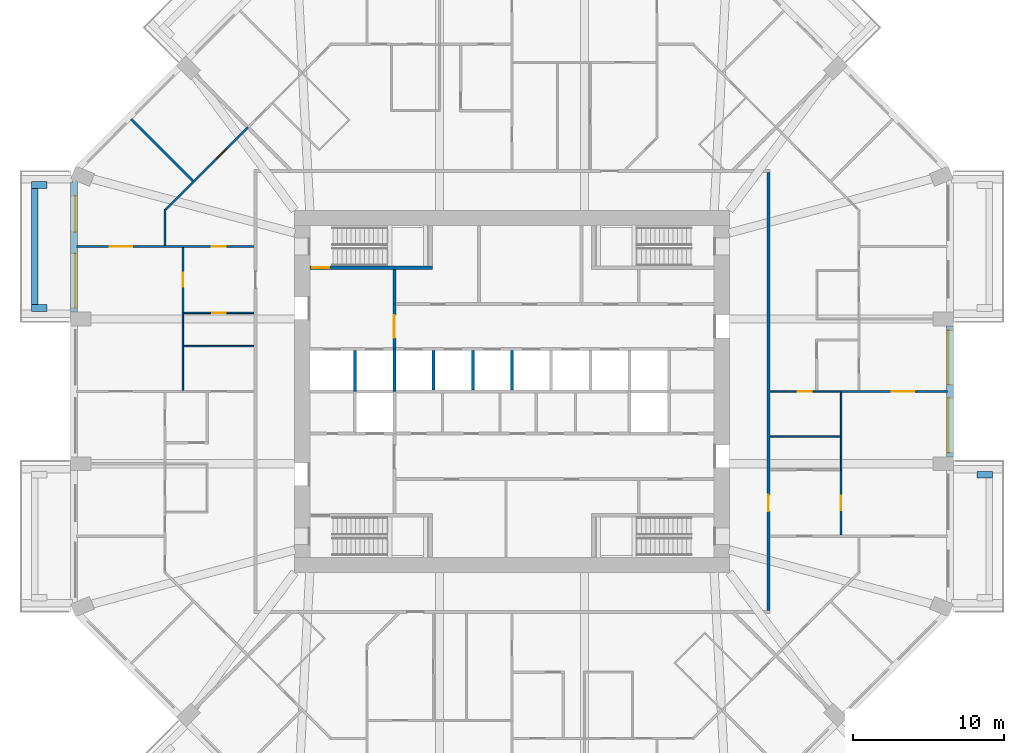
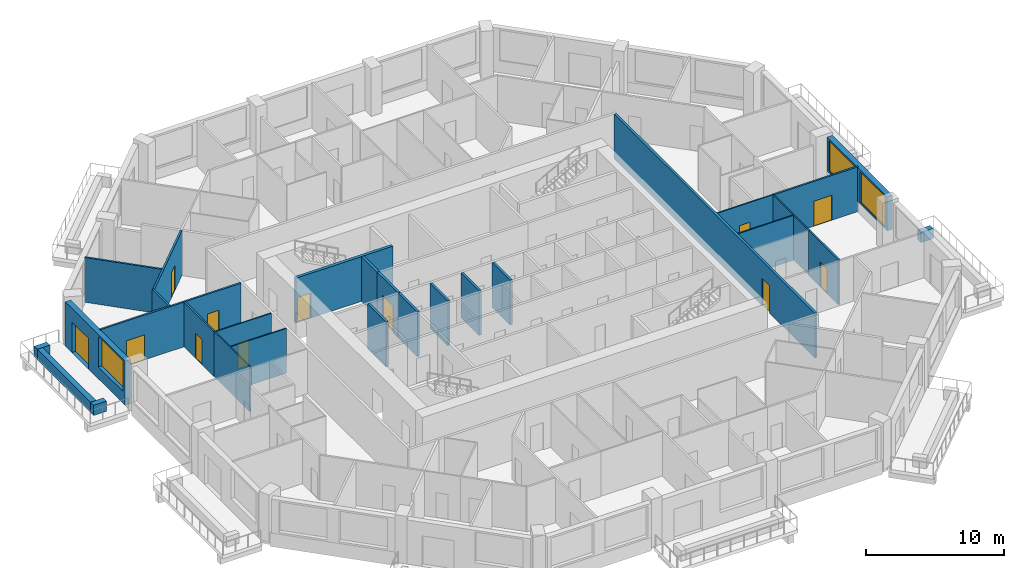
# One storey, part 7 of 13: 28 walls, 12 doors, 3 windows, 15 openings.
"""IFC4 building model written with IfcOpenShell, lengths in metres."""

from ifc_helpers import new_model, si_unit, direction, frame, frame_2d, origin, place, context, subcontext, project, spatial, rectangle, extrude, material, layer, layer_set, type_object, element, fill, save


model = new_model("IFC4")

# Units and contexts
model_context = context("Model", 3, precision=1e-05, world=origin(), true_north=direction((0.0, 1.0)))
body_context = subcontext(model_context, "Body", "Model", "MODEL_VIEW")
ifc_project = project(units=[si_unit("LENGTHUNIT", "METRE"), si_unit("AREAUNIT", "SQUARE_METRE"), si_unit("VOLUMEUNIT", "CUBIC_METRE"), si_unit("PLANEANGLEUNIT", "RADIAN"), si_unit("MASSUNIT", "GRAM", prefix="KILO")], contexts=[model_context])

# Site, building, storey
site_placement = place(None, origin())
site = spatial("IfcSite", under=ifc_project, at=site_placement, CompositionType="ELEMENT")
building_placement = place(site_placement, origin())
building = spatial("IfcBuilding", under=site, at=building_placement, Name="Msitu Wima Residences", CompositionType="ELEMENT")
storey_placement = place(building_placement, frame((0.0, 0.0, 29.699951171875)))
storey = spatial("IfcBuildingStorey", under=building, at=storey_placement, Name="L06", CompositionType="ELEMENT", Elevation=29.699951171875)

# Walls
ifc_material_1 = material(Name="Facing brick")
ifc_layer_1 = layer(ifc_material_1, 0.06494140625, Name="Facing brick")
ifc_material_2 = material(Name="Concrete C40/50", Category="concrete")
ifc_layer_2 = layer(ifc_material_2, 0.156005859375, Name="Concrete C40/50")
ifc_material_3 = material(Name="Waterproofing membrane")
ifc_layer_3 = layer(ifc_material_3, 0.00390625, Name="Waterproofing membrane")
ifc_material_4 = material(Name="Planting soil and planting")
ifc_layer_4 = layer(ifc_material_4, 0.22509765625, Name="Planting soil and planting")
ifc_layer_set_1 = layer_set([ifc_layer_1, ifc_layer_2, ifc_layer_3, ifc_layer_4], Name="Concrete C40/50")
wall_type_1 = type_object("IfcWallType", Name="Balcony planter PLANTER PL450", PredefinedType="USERDEFINED", material=ifc_layer_set_1)
wall_1_placement = place(storey_placement, frame((30.800048828125, -5.52490234375, 0.0), z_axis=(0.0, 0.0, 1.0), x_axis=(1.0, 0.0, 0.0)))
element("IfcWall", 1, at=wall_1_placement, inside=storey, type_object=wall_type_1, Name="Balcony planter E0 L06", ObjectType="PLANTER", PredefinedType="USERDEFINED", context=body_context, shape_type="SweptSolid", body=[
    extrude(rectangle(XDim=1.050048828125, YDim=0.449951171875, at=frame_2d((0.52490234375, 0.0))), origin(), (0.0, 0.0, 1.0), 0.900146484375),
])
wall_2_placement = place(storey_placement, frame((-31.625, 13.449951171875, 0.0), z_axis=(0.0, 0.0, 1.0), x_axis=(0.0, -1.0, 0.0)))
element("IfcWall", 2, at=wall_2_placement, inside=storey, type_object=wall_type_1, Name="Balcony planter W0 L06", ObjectType="PLANTER", PredefinedType="USERDEFINED", context=body_context, shape_type="SweptSolid", body=[
    extrude(rectangle(XDim=7.699951171875, YDim=0.449951171875, at=frame_2d((3.85009765625, 0.0))), origin(), (0.0, 0.0, 1.0), 0.900146484375),
])
for number, where, z_axis, x_axis, name in (
    (3, (-30.800048828125, 13.675048828125, 0.0), (0.0, 0.0, 1.0), (-1.0, 0.0, 0.0), "Balcony planter W0 L06"),
    (4, (-30.800048828125, 5.52490234375, 0.0), (0.0, 0.0, 1.0), (-1.0, 0.0, 0.0), "Balcony planter W0 L06"),
):
    element("IfcWall", number, at=place(storey_placement, frame(where, z_axis=z_axis, x_axis=x_axis)), inside=storey, type_object=wall_type_1, Name=name, ObjectType="PLANTER", PredefinedType="USERDEFINED", context=body_context, shape_type="SweptSolid", body=[
        extrude(rectangle(XDim=1.050048828125, YDim=0.449951171875, at=frame_2d((0.52490234375, 0.0))), origin(), (0.0, 0.0, 1.0), 0.900146484375),
    ])

# Wall, openings, windows
ifc_material_5 = material(Name="Brick (red buff mix)", Category="masonry")
ifc_layer_5 = layer(ifc_material_5, 0.449951171875)
ifc_layer_set_2 = layer_set([ifc_layer_5], Name="Brick (red buff mix)")
wall_type_2 = type_object("IfcWallType", Name="Brick infill wall BW450", PredefinedType="SOLIDWALL", material=ifc_layer_set_2)
wall_3_placement = place(storey_placement, frame((29.02490234375, -4.35009765625, 0.900146484375), z_axis=(0.0, 0.0, 1.0), x_axis=(0.0, 1.0, 0.0)))
wall_3 = element("IfcWall", 5, at=wall_3_placement, inside=storey, type_object=wall_type_2, Name="Brick infill wall L06 E1", PredefinedType="SOLIDWALL", context=body_context, shape_type="SweptSolid", body=[
    extrude(rectangle(XDim=8.7001953125, YDim=0.449951171875, at=frame_2d((4.35009765625, 0.0))), origin(), (0.0, 0.0, 1.0), 3.0),
])
opening_1_placement = place(wall_3_placement, frame((0.300048828125, 0.0, 0.14990234375)))
opening_1 = element("IfcOpeningElement", 6, at=opening_1_placement, cuts=wall_3, Name="Opening W05-07.002", PredefinedType="OPENING", context=body_context, shape_type="SweptSolid", body=[
    extrude(rectangle(XDim=3.60009765625, YDim=2.699951171875, at=frame_2d((1.800048828125, 1.35009765625))), frame((0.0, 0.23486328125, 0.0), z_axis=(0.0, -1.0, 0.0), x_axis=(1.0, 0.0, 0.0)), (0.0, 0.0, 1.0), 0.469970703125),
])
opening_2_placement = place(wall_3_placement, frame((4.800048828125, 0.0, 0.14990234375)))
opening_2 = element("IfcOpeningElement", 7, at=opening_2_placement, cuts=wall_3, Name="Opening W05-07.003", PredefinedType="OPENING", context=body_context, shape_type="SweptSolid", body=[
    extrude(rectangle(XDim=3.60009765625, YDim=2.699951171875, at=frame_2d((1.800048828125, 1.35009765625))), frame((0.0, 0.23486328125, 0.0), z_axis=(0.0, -1.0, 0.0), x_axis=(1.0, 0.0, 0.0)), (0.0, 0.0, 1.0), 0.469970703125),
])
ifc_material_6 = material(Name="Anodised aluminium, bronze finish, clear low-emissivity double glazing", Category="aluminium")
window_type = type_object("IfcWindowType", Name="Window W3600x2700", PartitioningType="DOUBLE_PANEL_VERTICAL", PredefinedType="WINDOW", material=ifc_material_6)
window_1_placement = place(opening_1_placement, origin())
window_1 = element("IfcWindow", 8, at=window_1_placement, inside=storey, type_object=window_type, Name="Window L06 E1.1", OverallHeight=2.699951171875, OverallWidth=3.60009765625, PartitioningType="SINGLE_PANEL", PredefinedType="WINDOW", context=body_context, shape_type="SweptSolid", body=[
    extrude(rectangle(XDim=3.60009765625, YDim=2.699951171875, at=frame_2d((1.800048828125, 1.35009765625))), frame((0.0, 0.135009765625, 0.0), z_axis=(0.0, -1.0, 0.0), x_axis=(1.0, 0.0, 0.0)), (0.0, 0.0, 1.0), 0.06005859375),
])
fill(opening_1, window_1)
window_2_placement = place(opening_2_placement, origin())
window_2 = element("IfcWindow", 9, at=window_2_placement, inside=storey, type_object=window_type, Name="Window L06 E1.2", OverallHeight=2.699951171875, OverallWidth=3.60009765625, PartitioningType="SINGLE_PANEL", PredefinedType="WINDOW", context=body_context, shape_type="SweptSolid", body=[
    extrude(rectangle(XDim=3.60009765625, YDim=2.699951171875, at=frame_2d((1.800048828125, 1.35009765625))), frame((0.0, 0.135009765625, 0.0), z_axis=(0.0, -1.0, 0.0), x_axis=(1.0, 0.0, 0.0)), (0.0, 0.0, 1.0), 0.06005859375),
])
fill(opening_2, window_2)

# Wall, openings, door, window
wall_4_placement = place(storey_placement, frame((-29.02490234375, 13.912841796875, 0.0), z_axis=(0.0, 0.0, 1.0), x_axis=(0.0, -1.0, 0.0)))
wall_4 = element("IfcWall", 10, at=wall_4_placement, inside=storey, type_object=wall_type_2, Name="Brick infill wall L06 W0", PredefinedType="SOLIDWALL", context=body_context, shape_type="SweptSolid", body=[
    extrude(rectangle(XDim=8.662841796875, YDim=0.449951171875, at=frame_2d((4.33154296875, 0.0))), origin(), (0.0, 0.0, 1.0), 3.900146484375),
])
opening_3_placement = place(wall_4_placement, frame((0.9658203125, 0.0, 0.0)))
opening_3 = element("IfcOpeningElement", 11, at=opening_3_placement, cuts=wall_4, Name="Opening D05-07.009", PredefinedType="OPENING", context=body_context, shape_type="SweptSolid", body=[
    extrude(rectangle(XDim=2.39990234375, YDim=2.699951171875, at=frame_2d((1.199951171875, 1.35009765625))), frame((0.0, 0.23486328125, 0.0), z_axis=(0.0, -1.0, 0.0), x_axis=(1.0, 0.0, 0.0)), (0.0, 0.0, 1.0), 0.469970703125),
])
opening_4_placement = place(wall_4_placement, frame((4.781494140625, 0.0, 1.050048828125)))
opening_4 = element("IfcOpeningElement", 12, at=opening_4_placement, cuts=wall_4, Name="Opening W05-07.027", PredefinedType="OPENING", context=body_context, shape_type="SweptSolid", body=[
    extrude(rectangle(XDim=3.60009765625, YDim=2.699951171875, at=frame_2d((1.800048828125, 1.35009765625))), frame((0.0, 0.23486328125, 0.0), z_axis=(0.0, -1.0, 0.0), x_axis=(1.0, 0.0, 0.0)), (0.0, 0.0, 1.0), 0.469970703125),
])
door_type_1 = type_object("IfcDoorType", Name="Balcony door D2400x2700", OperationType="SLIDING_TO_LEFT", PredefinedType="DOOR", material=ifc_material_6)
door_1_placement = place(opening_3_placement, origin())
door_1 = element("IfcDoor", 13, at=door_1_placement, inside=storey, type_object=door_type_1, Name="Balcony door L06 W0", OperationType="SINGLE_SWING_LEFT", OverallHeight=2.699951171875, OverallWidth=2.39990234375, PredefinedType="DOOR", context=body_context, shape_type="SweptSolid", body=[
    extrude(rectangle(XDim=2.39990234375, YDim=2.699951171875, at=frame_2d((1.199951171875, 1.35009765625))), frame((0.0, 0.1298828125, 0.0), z_axis=(0.0, -1.0, 0.0), x_axis=(1.0, 0.0, 0.0)), (0.0, 0.0, 1.0), 0.050048828125),
])
fill(opening_3, door_1)
window_3_placement = place(opening_4_placement, origin())
window_3 = element("IfcWindow", 14, at=window_3_placement, inside=storey, type_object=window_type, Name="Window L06 W0.2", OverallHeight=2.699951171875, OverallWidth=3.60009765625, PartitioningType="SINGLE_PANEL", PredefinedType="WINDOW", context=body_context, shape_type="SweptSolid", body=[
    extrude(rectangle(XDim=3.60009765625, YDim=2.699951171875, at=frame_2d((1.800048828125, 1.35009765625))), frame((0.0, 0.135009765625, 0.0), z_axis=(0.0, -1.0, 0.0), x_axis=(1.0, 0.0, 0.0)), (0.0, 0.0, 1.0), 0.06005859375),
])
fill(opening_4, window_3)

# Wall, opening, door
ifc_material_7 = material(Name="Plaster")
ifc_layer_6 = layer(ifc_material_7, 0.011962890625, Name="Plaster")
ifc_material_8 = material(Name="Concrete blockwork", Category="masonry")
ifc_layer_7 = layer(ifc_material_8, 0.176025390625, Name="Concrete blockwork")
ifc_layer_8 = layer(ifc_material_7, 0.011962890625, Name="Plaster")
ifc_layer_set_3 = layer_set([ifc_layer_6, ifc_layer_7, ifc_layer_8], Name="Concrete blockwork")
wall_type_3 = type_object("IfcWallType", Name="Corridor wall FW200", PredefinedType="PARTITIONING", material=ifc_layer_set_3)
wall_5_placement = place(storey_placement, frame((-7.800048828125, 2.800048828125, 0.0), z_axis=(0.0, 0.0, 1.0), x_axis=(0.0, 1.0, 0.0)))
wall_5 = element("IfcWall", 15, at=wall_5_placement, inside=storey, type_object=wall_type_3, Name="Corridor wall", PredefinedType="PARTITIONING", context=body_context, shape_type="SweptSolid", body=[
    extrude(rectangle(XDim=3.0, YDim=0.199951171875, at=frame_2d((1.5, 0.0))), origin(), (0.0, 0.0, 1.0), 3.949951171875),
])
opening_5_placement = place(wall_5_placement, frame((0.75, 0.0, 0.0)))
opening_5 = element("IfcOpeningElement", 16, at=opening_5_placement, cuts=wall_5, Name="Opening D05-07.017", PredefinedType="OPENING", context=body_context, shape_type="SweptSolid", body=[
    extrude(rectangle(XDim=1.5, YDim=2.39990234375, at=frame_2d((0.75, 1.199951171875))), frame((0.0, 0.10986328125, 0.0), z_axis=(0.0, -1.0, 0.0), x_axis=(1.0, 0.0, 0.0)), (0.0, 0.0, 1.0), 0.219970703125),
])
ifc_material_9 = material(Name="Steel framed glazed door, fire resisting", Category="steel")
door_type_2 = type_object("IfcDoorType", Name="Lobby door D07 1500x2400", OperationType="DOUBLE_DOOR_SINGLE_SWING", PredefinedType="DOOR", material=ifc_material_9)
door_2_placement = place(opening_5_placement, origin())
door_2 = element("IfcDoor", 17, at=door_2_placement, inside=storey, type_object=door_type_2, Name="Lobby door", OperationType="DOUBLE_DOOR_SINGLE_SWING", OverallHeight=2.39990234375, OverallWidth=1.5, PredefinedType="DOOR", context=body_context, shape_type="SweptSolid", body=[
    extrude(rectangle(XDim=1.5, YDim=2.39990234375, at=frame_2d((0.75, 1.199951171875))), frame((0.0, 0.02490234375, 0.0), z_axis=(0.0, -1.0, 0.0), x_axis=(1.0, 0.0, 0.0)), (0.0, 0.0, 1.0), 0.050048828125),
])
fill(opening_5, door_2)

wall_6_placement = place(storey_placement, frame((17.0, -14.5, 0.0), z_axis=(0.0, 0.0, 1.0), x_axis=(0.0, 1.0, 0.0)))
wall_6 = element("IfcWall", 18, at=wall_6_placement, inside=storey, type_object=wall_type_3, Name="Corridor wall", PredefinedType="PARTITIONING", context=body_context, shape_type="SweptSolid", body=[
    extrude(rectangle(XDim=29.0, YDim=0.199951171875, at=frame_2d((14.5, 0.0))), origin(), (0.0, 0.0, 1.0), 3.949951171875),
])
opening_6_placement = place(wall_6_placement, frame((6.550048828125, 0.0, 0.0)))
opening_6 = element("IfcOpeningElement", 19, at=opening_6_placement, cuts=wall_6, Name="Opening D05-07.011", PredefinedType="OPENING", context=body_context, shape_type="SweptSolid", body=[
    extrude(rectangle(XDim=1.10009765625, YDim=2.39990234375, at=frame_2d((0.550048828125, 1.199951171875))), frame((0.0, 0.10986328125, 0.0), z_axis=(0.0, -1.0, 0.0), x_axis=(1.0, 0.0, 0.0)), (0.0, 0.0, 1.0), 0.219970703125),
])
ifc_material_10 = material(Name="Timber flush door, fire resisting, self-closing", Category="wood")
door_type_3 = type_object("IfcDoorType", Name="Flat entrance door D01 1100x2400", OperationType="SINGLE_SWING_LEFT", PredefinedType="DOOR", material=ifc_material_10)
door_3_placement = place(opening_6_placement, origin())
door_3 = element("IfcDoor", 20, at=door_3_placement, inside=storey, type_object=door_type_3, Name="Flat entrance door", OperationType="SINGLE_SWING_RIGHT", OverallHeight=2.39990234375, OverallWidth=1.10009765625, PredefinedType="DOOR", context=body_context, shape_type="SweptSolid", body=[
    extrude(rectangle(XDim=1.10009765625, YDim=2.39990234375, at=frame_2d((0.550048828125, 1.199951171875))), frame((0.0, 0.02490234375, 0.0), z_axis=(0.0, -1.0, 0.0), x_axis=(1.0, 0.0, 0.0)), (0.0, 0.0, 1.0), 0.050048828125),
])
fill(opening_6, door_3)

# Wall, openings, doors
ifc_layer_9 = layer(ifc_material_7, 0.011962890625, Name="Plaster")
ifc_layer_10 = layer(ifc_material_8, 0.1259765625, Name="Concrete blockwork")
ifc_layer_11 = layer(ifc_material_7, 0.011962890625, Name="Plaster")
ifc_layer_set_4 = layer_set([ifc_layer_9, ifc_layer_10, ifc_layer_11], Name="Concrete blockwork")
wall_type_4 = type_object("IfcWallType", Name="Partition PW150", PredefinedType="PARTITIONING", material=ifc_layer_set_4)
wall_7_placement = place(storey_placement, frame((-28.85498046875, 9.60009765625, 0.0), z_axis=(0.0, 0.0, 1.0), x_axis=(1.0, 0.0, 0.0)))
wall_7 = element("IfcWall", 21, at=wall_7_placement, inside=storey, type_object=wall_type_4, Name="Partition", PredefinedType="PARTITIONING", context=body_context, shape_type="SweptSolid", body=[
    extrude(rectangle(XDim=11.7548828125, YDim=0.14990234375, at=frame_2d((5.87744140625, 0.0))), origin(), (0.0, 0.0, 1.0), 3.949951171875),
])
opening_7_placement = place(wall_7_placement, frame((8.949951171875, 0.0, 0.0)))
opening_7 = element("IfcOpeningElement", 22, at=opening_7_placement, cuts=wall_7, Name="Opening D05-07.063", PredefinedType="OPENING", context=body_context, shape_type="SweptSolid", body=[
    extrude(rectangle(XDim=0.949951171875, YDim=2.199951171875, at=frame_2d((0.47509765625, 1.10009765625))), frame((0.0, 0.0849609375, 0.0), z_axis=(0.0, -1.0, 0.0), x_axis=(1.0, 0.0, 0.0)), (0.0, 0.0, 1.0), 0.169921875),
])
opening_8_placement = place(wall_7_placement, frame((2.199951171875, 0.0, 0.0)))
opening_8 = element("IfcOpeningElement", 23, at=opening_8_placement, cuts=wall_7, Name="Opening D05-07.070", PredefinedType="OPENING", context=body_context, shape_type="SweptSolid", body=[
    extrude(rectangle(XDim=1.5, YDim=2.199951171875, at=frame_2d((0.75, 1.10009765625))), frame((0.0, 0.0849609375, 0.0), z_axis=(0.0, -1.0, 0.0), x_axis=(1.0, 0.0, 0.0)), (0.0, 0.0, 1.0), 0.169921875),
])
ifc_material_11 = material(Name="Timber double door", Category="wood")
door_type_4 = type_object("IfcDoorType", Name="Double door D04 1500x2200", OperationType="DOUBLE_DOOR_SINGLE_SWING", PredefinedType="DOOR", material=ifc_material_11)
door_4_placement = place(opening_8_placement, origin())
door_4 = element("IfcDoor", 24, at=door_4_placement, inside=storey, type_object=door_type_4, Name="Double door", OperationType="DOUBLE_DOOR_SINGLE_SWING", OverallHeight=2.199951171875, OverallWidth=1.5, PredefinedType="DOOR", context=body_context, shape_type="SweptSolid", body=[
    extrude(rectangle(XDim=1.5, YDim=2.199951171875, at=frame_2d((0.75, 1.10009765625))), frame((0.0, 0.02490234375, 0.0), z_axis=(0.0, -1.0, 0.0), x_axis=(1.0, 0.0, 0.0)), (0.0, 0.0, 1.0), 0.050048828125),
])
fill(opening_8, door_4)
ifc_material_12 = material(Name="Timber flush door", Category="wood")
door_type_5 = type_object("IfcDoorType", Name="Room door D12 950x2200", OperationType="SINGLE_SWING_LEFT", PredefinedType="DOOR", material=ifc_material_12)
door_5_placement = place(opening_7_placement, origin())
door_5 = element("IfcDoor", 25, at=door_5_placement, inside=storey, type_object=door_type_5, Name="Room door", OperationType="SINGLE_SWING_RIGHT", OverallHeight=2.199951171875, OverallWidth=0.949951171875, PredefinedType="DOOR", context=body_context, shape_type="SweptSolid", body=[
    extrude(rectangle(XDim=0.949951171875, YDim=2.199951171875, at=frame_2d((0.47509765625, 1.10009765625))), frame((0.0, 0.02490234375, 0.0), z_axis=(0.0, -1.0, 0.0), x_axis=(1.0, 0.0, 0.0)), (0.0, 0.0, 1.0), 0.050048828125),
])
fill(opening_7, door_5)

# Walls
wall_8_placement = place(storey_placement, frame((-25.23876953125, 18.038818359375, 0.0), z_axis=(0.0, 0.0, 1.0), x_axis=(0.707106781187, -0.707106781187, 0.0)))
element("IfcWall", 26, at=wall_8_placement, inside=storey, type_object=wall_type_4, Name="Partition", PredefinedType="PARTITIONING", context=body_context, shape_type="SweptSolid", body=[
    extrude(rectangle(XDim=5.77978515625, YDim=0.14990234375, at=frame_2d((2.889892578125, 0.0))), origin(), (0.0, 0.0, 1.0), 3.949951171875),
])
wall_9_placement = place(storey_placement, frame((-23.0, 9.675048828125, 0.0), z_axis=(0.0, 0.0, 1.0), x_axis=(0.0, 1.0, 0.0)))
element("IfcWall", 27, at=wall_9_placement, inside=storey, type_object=wall_type_4, Name="Partition", PredefinedType="PARTITIONING", context=body_context, shape_type="SweptSolid", body=[
    extrude(rectangle(XDim=2.3974609375, YDim=0.14990234375, at=frame_2d((1.19873046875, 0.0))), origin(), (0.0, 0.0, 1.0), 3.949951171875),
])

# Wall, opening, door
wall_10_placement = place(storey_placement, frame((-22.947021484375, 12.050537109375, 0.0), z_axis=(0.0, 0.0, 1.0), x_axis=(0.707106781187, 0.707106781187, 0.0)))
wall_10 = element("IfcWall", 28, at=wall_10_placement, inside=storey, type_object=wall_type_4, Name="Partition", PredefinedType="PARTITIONING", context=body_context, shape_type="SweptSolid", body=[
    extrude(rectangle(XDim=7.705078125, YDim=0.14990234375, at=frame_2d((3.8525390625, 0.0))), origin(), (0.0, 0.0, 1.0), 3.949951171875),
])
opening_9_placement = place(wall_10_placement, frame((4.75, 0.0, 0.0)))
opening_9 = element("IfcOpeningElement", 29, at=opening_9_placement, cuts=wall_10, Name="Opening D05-07.065", PredefinedType="OPENING", context=body_context, shape_type="SweptSolid", body=[
    extrude(rectangle(XDim=0.949951171875, YDim=2.199951171875, at=frame_2d((0.47509765625, 1.10009765625))), frame((0.0, 0.0849609375, 0.0), z_axis=(0.0, -1.0, 0.0), x_axis=(1.0, 0.0, 0.0)), (0.0, 0.0, 1.0), 0.169921875),
])
door_6_placement = place(opening_9_placement, origin())
door_6 = element("IfcDoor", 30, at=door_6_placement, inside=storey, type_object=door_type_5, Name="Room door", OperationType="SINGLE_SWING_RIGHT", OverallHeight=2.199951171875, OverallWidth=0.949951171875, PredefinedType="DOOR", context=body_context, shape_type="SweptSolid", body=[
    extrude(rectangle(XDim=0.949951171875, YDim=2.199951171875, at=frame_2d((0.47509765625, 1.10009765625))), frame((0.0, 0.02490234375, 0.0), z_axis=(0.0, -1.0, 0.0), x_axis=(1.0, 0.0, 0.0)), (0.0, 0.0, 1.0), 0.050048828125),
])
fill(opening_9, door_6)

wall_11_placement = place(storey_placement, frame((-21.800048828125, 5.219970703125, 0.0), z_axis=(0.0, 0.0, 1.0), x_axis=(0.0, 1.0, 0.0)))
wall_11 = element("IfcWall", 31, at=wall_11_placement, inside=storey, type_object=wall_type_4, Name="Partition", PredefinedType="PARTITIONING", context=body_context, shape_type="SweptSolid", body=[
    extrude(rectangle(XDim=4.304931640625, YDim=0.14990234375, at=frame_2d((2.15234375, 0.0))), origin(), (0.0, 0.0, 1.0), 3.949951171875),
])
opening_10_placement = place(wall_11_placement, frame((1.699951171875, 0.0, 0.0)))
opening_10 = element("IfcOpeningElement", 32, at=opening_10_placement, cuts=wall_11, Name="Opening D05-07.066", PredefinedType="OPENING", context=body_context, shape_type="SweptSolid", body=[
    extrude(rectangle(XDim=0.949951171875, YDim=2.199951171875, at=frame_2d((0.47509765625, 1.10009765625))), frame((0.0, 0.0849609375, 0.0), z_axis=(0.0, -1.0, 0.0), x_axis=(1.0, 0.0, 0.0)), (0.0, 0.0, 1.0), 0.169921875),
])
door_7_placement = place(opening_10_placement, origin())
door_7 = element("IfcDoor", 33, at=door_7_placement, inside=storey, type_object=door_type_5, Name="Room door", OperationType="SINGLE_SWING_RIGHT", OverallHeight=2.199951171875, OverallWidth=0.949951171875, PredefinedType="DOOR", context=body_context, shape_type="SweptSolid", body=[
    extrude(rectangle(XDim=0.949951171875, YDim=2.199951171875, at=frame_2d((0.47509765625, 1.10009765625))), frame((0.0, 0.02490234375, 0.0), z_axis=(0.0, -1.0, 0.0), x_axis=(1.0, 0.0, 0.0)), (0.0, 0.0, 1.0), 0.050048828125),
])
fill(opening_10, door_7)

wall_12_placement = place(storey_placement, frame((21.800048828125, -9.52490234375, 0.0), z_axis=(0.0, 0.0, 1.0), x_axis=(0.0, 1.0, 0.0)))
wall_12 = element("IfcWall", 34, at=wall_12_placement, inside=storey, type_object=wall_type_4, Name="Partition", PredefinedType="PARTITIONING", context=body_context, shape_type="SweptSolid", body=[
    extrude(rectangle(XDim=4.304931640625, YDim=0.14990234375, at=frame_2d((2.15234375, 0.0))), origin(), (0.0, 0.0, 1.0), 3.949951171875),
])
opening_11_placement = place(wall_12_placement, frame((1.64990234375, 0.0, 0.0)))
opening_11 = element("IfcOpeningElement", 35, at=opening_11_placement, cuts=wall_12, Name="Opening D05-07.053", PredefinedType="OPENING", context=body_context, shape_type="SweptSolid", body=[
    extrude(rectangle(XDim=0.949951171875, YDim=2.199951171875, at=frame_2d((0.47509765625, 1.10009765625))), frame((0.0, 0.0849609375, 0.0), z_axis=(0.0, -1.0, 0.0), x_axis=(1.0, 0.0, 0.0)), (0.0, 0.0, 1.0), 0.169921875),
])
door_8_placement = place(opening_11_placement, origin())
door_8 = element("IfcDoor", 36, at=door_8_placement, inside=storey, type_object=door_type_5, Name="Room door", OperationType="SINGLE_SWING_RIGHT", OverallHeight=2.199951171875, OverallWidth=0.949951171875, PredefinedType="DOOR", context=body_context, shape_type="SweptSolid", body=[
    extrude(rectangle(XDim=0.949951171875, YDim=2.199951171875, at=frame_2d((0.47509765625, 1.10009765625))), frame((0.0, 0.02490234375, 0.0), z_axis=(0.0, -1.0, 0.0), x_axis=(1.0, 0.0, 0.0)), (0.0, 0.0, 1.0), 0.050048828125),
])
fill(opening_11, door_8)

wall_13_placement = place(storey_placement, frame((21.800048828125, 0.0, 0.0), z_axis=(0.0, 0.0, 1.0), x_axis=(1.0, 0.0, 0.0)))
wall_13 = element("IfcWall", 37, at=wall_13_placement, inside=storey, type_object=wall_type_4, Name="Partition", PredefinedType="PARTITIONING", context=body_context, shape_type="SweptSolid", body=[
    extrude(rectangle(XDim=7.054931640625, YDim=0.14990234375, at=frame_2d((3.52734375, 0.0))), origin(), (0.0, 0.0, 1.0), 3.949951171875),
])
opening_12_placement = place(wall_13_placement, frame((3.35009765625, 0.0, 0.0)))
opening_12 = element("IfcOpeningElement", 38, at=opening_12_placement, cuts=wall_13, Name="Opening D05-07.075", PredefinedType="OPENING", context=body_context, shape_type="SweptSolid", body=[
    extrude(rectangle(XDim=1.5, YDim=2.199951171875, at=frame_2d((0.75, 1.10009765625))), frame((0.0, 0.0849609375, 0.0), z_axis=(0.0, -1.0, 0.0), x_axis=(1.0, 0.0, 0.0)), (0.0, 0.0, 1.0), 0.169921875),
])
door_9_placement = place(opening_12_placement, origin())
door_9 = element("IfcDoor", 39, at=door_9_placement, inside=storey, type_object=door_type_4, Name="Double door", OperationType="DOUBLE_DOOR_SINGLE_SWING", OverallHeight=2.199951171875, OverallWidth=1.5, PredefinedType="DOOR", context=body_context, shape_type="SweptSolid", body=[
    extrude(rectangle(XDim=1.5, YDim=2.199951171875, at=frame_2d((0.75, 1.10009765625))), frame((0.0, 0.02490234375, 0.0), z_axis=(0.0, -1.0, 0.0), x_axis=(1.0, 0.0, 0.0)), (0.0, 0.0, 1.0), 0.050048828125),
])
fill(opening_12, door_9)

# Walls
ifc_layer_12 = layer(ifc_material_7, 0.011962890625, Name="Plaster")
ifc_material_13 = material(Name="Reinforced concrete blockwork", Category="masonry")
ifc_layer_13 = layer(ifc_material_13, 0.176025390625, Name="Reinforced concrete blockwork")
ifc_layer_14 = layer(ifc_material_7, 0.011962890625, Name="Plaster")
ifc_layer_set_5 = layer_set([ifc_layer_12, ifc_layer_13, ifc_layer_14], Name="Reinforced concrete blockwork")
wall_type_5 = type_object("IfcWallType", Name="Plant and riser wall PL200", PredefinedType="PARTITIONING", material=ifc_layer_set_5)
wall_14_placement = place(storey_placement, frame((-7.800048828125, 5.800048828125, 0.0), z_axis=(0.0, 0.0, 1.0), x_axis=(0.0, 1.0, 0.0)))
element("IfcWall", 40, at=wall_14_placement, inside=storey, type_object=wall_type_5, Name="Plant and riser wall", PredefinedType="PARTITIONING", context=body_context, shape_type="SweptSolid", body=[
    extrude(rectangle(XDim=2.27490234375, YDim=0.199951171875, at=frame_2d((1.137451171875, 0.0))), origin(), (0.0, 0.0, 1.0), 3.949951171875),
])
ifc_material_14 = material(Name="Fire-rated board")
ifc_layer_15 = layer(ifc_material_14, 0.02490234375, Name="Fire-rated board")
ifc_material_15 = material(Name="Light-gauge stud framing with mineral wool")
ifc_layer_16 = layer(ifc_material_15, 0.14990234375, Name="Light-gauge stud framing with mineral wool")
ifc_layer_17 = layer(ifc_material_14, 0.02490234375, Name="Fire-rated board")
ifc_layer_set_6 = layer_set([ifc_layer_15, ifc_layer_16, ifc_layer_17], Name="Light-gauge stud framing with mineral wool")
wall_type_6 = type_object("IfcWallType", Name="Shaft wall SH200", PredefinedType="PARTITIONING", material=ifc_layer_set_6)
wall_15_placement = place(storey_placement, frame((-10.39990234375, 0.0, 0.0), z_axis=(0.0, 0.0, 1.0), x_axis=(0.0, 1.0, 0.0)))
element("IfcWall", 41, at=wall_15_placement, inside=storey, type_object=wall_type_6, Name="Shaft wall", PredefinedType="PARTITIONING", context=body_context, shape_type="SweptSolid", body=[
    extrude(rectangle(XDim=2.699951171875, YDim=0.199951171875, at=frame_2d((1.35009765625, 0.0))), origin(), (0.0, 0.0, 1.0), 3.949951171875),
])
wall_16_placement = place(storey_placement, frame((-7.800048828125, 0.0, 0.0), z_axis=(0.0, 0.0, 1.0), x_axis=(0.0, 1.0, 0.0)))
element("IfcWall", 42, at=wall_16_placement, inside=storey, type_object=wall_type_6, Name="Shaft wall", PredefinedType="PARTITIONING", context=body_context, shape_type="SweptSolid", body=[
    extrude(rectangle(XDim=2.800048828125, YDim=0.199951171875, at=frame_2d((1.39990234375, 0.0))), origin(), (0.0, 0.0, 1.0), 3.949951171875),
])
for number, where, z_axis, x_axis, name in (
    (43, (-5.199951171875, 0.10009765625, 0.0), (0.0, 0.0, 1.0), (0.0, 1.0, 0.0), "Shaft wall"),
    (44, (-2.60009765625, 0.10009765625, 0.0), (0.0, 0.0, 1.0), (0.0, 1.0, 0.0), "Shaft wall"),
    (45, (0.0, 0.10009765625, 0.0), (0.0, 0.0, 1.0), (0.0, 1.0, 0.0), "Shaft wall"),
):
    element("IfcWall", number, at=place(storey_placement, frame(where, z_axis=z_axis, x_axis=x_axis)), inside=storey, type_object=wall_type_6, Name=name, PredefinedType="PARTITIONING", context=body_context, shape_type="SweptSolid", body=[
        extrude(rectangle(XDim=2.599853515625, YDim=0.199951171875, at=frame_2d((1.2998046875, 0.0))), origin(), (0.0, 0.0, 1.0), 3.949951171875),
    ])

# Wall, opening, door
ifc_material_16 = material(Name="Concrete C50/60", Category="concrete")
ifc_layer_18 = layer(ifc_material_16, 0.25)
ifc_layer_set_7 = layer_set([ifc_layer_18], Name="Concrete C50/60")
wall_type_7 = type_object("IfcWallType", Name="Stair enclosure wall SW250", PredefinedType="SHEAR", material=ifc_layer_set_7)
wall_17_placement = place(storey_placement, frame((-13.3701171875, 8.199951171875, 0.0), z_axis=(0.0, 0.0, 1.0), x_axis=(1.0, 0.0, 0.0)))
wall_17 = element("IfcWall", 46, at=wall_17_placement, inside=storey, type_object=wall_type_7, Name="Stair enclosure wall", PredefinedType="SHEAR", context=body_context, shape_type="SweptSolid", body=[
    extrude(rectangle(XDim=8.09521484375, YDim=0.25, at=frame_2d((4.047607421875, 0.0))), origin(), (0.0, 0.0, 1.0), 3.949951171875),
])
opening_13_placement = place(wall_17_placement, frame((0.14990234375, 0.0, 0.0)))
opening_13 = element("IfcOpeningElement", 47, at=opening_13_placement, cuts=wall_17, Name="Opening D05-07.037", PredefinedType="OPENING", context=body_context, shape_type="SweptSolid", body=[
    extrude(rectangle(XDim=1.10009765625, YDim=2.199951171875, at=frame_2d((0.550048828125, 1.10009765625))), frame((0.0, 0.135009765625, 0.0), z_axis=(0.0, -1.0, 0.0), x_axis=(1.0, 0.0, 0.0)), (0.0, 0.0, 1.0), 0.27001953125),
])
ifc_material_17 = material(Name="Steel door, fire resisting, panic bar", Category="steel")
door_type_6 = type_object("IfcDoorType", Name="Stair door D06 1100x2200", OperationType="SINGLE_SWING_LEFT", PredefinedType="DOOR", material=ifc_material_17)
door_10_placement = place(opening_13_placement, origin())
door_10 = element("IfcDoor", 48, at=door_10_placement, inside=storey, type_object=door_type_6, Name="Stair door", OperationType="SINGLE_SWING_LEFT", OverallHeight=2.199951171875, OverallWidth=1.10009765625, PredefinedType="DOOR", context=body_context, shape_type="SweptSolid", body=[
    extrude(rectangle(XDim=1.10009765625, YDim=2.199951171875, at=frame_2d((0.550048828125, 1.10009765625))), frame((0.0, 0.02490234375, 0.0), z_axis=(0.0, -1.0, 0.0), x_axis=(1.0, 0.0, 0.0)), (0.0, 0.0, 1.0), 0.050048828125),
])
fill(opening_13, door_10)

# Walls
ifc_material_18 = material(Name="Ceramic tiles")
ifc_layer_19 = layer(ifc_material_18, 0.008056640625, Name="Ceramic tiles")
ifc_material_19 = material(Name="Moisture-resistant board")
ifc_layer_20 = layer(ifc_material_19, 0.012451171875, Name="Moisture-resistant board")
ifc_layer_21 = layer(ifc_material_15, 0.06689453125, Name="Light-gauge stud framing with mineral wool")
ifc_layer_22 = layer(ifc_material_19, 0.012451171875, Name="Moisture-resistant board")
ifc_layer_set_8 = layer_set([ifc_layer_19, ifc_layer_20, ifc_layer_21, ifc_layer_22], Name="Light-gauge stud framing with mineral wool")
wall_type_8 = type_object("IfcWallType", Name="Wet wall PW100", PredefinedType="PARTITIONING", material=ifc_layer_set_8)
wall_18_placement = place(storey_placement, frame((-21.800048828125, 0.074951171875, 0.0), z_axis=(0.0, 0.0, 1.0), x_axis=(0.0, 1.0, 0.0)))
element("IfcWall", 49, at=wall_18_placement, inside=storey, type_object=wall_type_8, Name="Wet wall", PredefinedType="PARTITIONING", context=body_context, shape_type="SweptSolid", body=[
    extrude(rectangle(XDim=5.14501953125, YDim=0.10009765625, at=frame_2d((2.572509765625, 0.0))), origin(), (0.0, 0.0, 1.0), 3.949951171875),
])
wall_19_placement = place(storey_placement, frame((-21.75, 3.0, 0.0), z_axis=(0.0, 0.0, 1.0), x_axis=(1.0, 0.0, 0.0)))
element("IfcWall", 50, at=wall_19_placement, inside=storey, type_object=wall_type_8, Name="Wet wall", PredefinedType="PARTITIONING", context=body_context, shape_type="SweptSolid", body=[
    extrude(rectangle(XDim=4.64990234375, YDim=0.10009765625, at=frame_2d((2.324951171875, 0.0))), origin(), (0.0, 0.0, 1.0), 3.949951171875),
])

# Wall, opening, door
wall_20_placement = place(storey_placement, frame((-21.72509765625, 5.199951171875, 0.0), z_axis=(0.0, 0.0, 1.0), x_axis=(1.0, 0.0, 0.0)))
wall_20 = element("IfcWall", 51, at=wall_20_placement, inside=storey, type_object=wall_type_8, Name="Wet wall", PredefinedType="PARTITIONING", context=body_context, shape_type="SweptSolid", body=[
    extrude(rectangle(XDim=4.625, YDim=0.10009765625, at=frame_2d((2.3125, 0.0))), origin(), (0.0, 0.0, 1.0), 3.949951171875),
])
opening_14_placement = place(wall_20_placement, frame((1.85009765625, 0.0, 0.0)))
opening_14 = element("IfcOpeningElement", 52, at=opening_14_placement, cuts=wall_20, Name="Opening D05-07.068", PredefinedType="OPENING", context=body_context, shape_type="SweptSolid", body=[
    extrude(rectangle(XDim=0.89990234375, YDim=2.199951171875, at=frame_2d((0.449951171875, 1.10009765625))), frame((0.0, 0.06005859375, 0.0), z_axis=(0.0, -1.0, 0.0), x_axis=(1.0, 0.0, 0.0)), (0.0, 0.0, 1.0), 0.1201171875),
])
ifc_material_20 = material(Name="Timber flush door, moisture resistant", Category="wood")
door_type_7 = type_object("IfcDoorType", Name="Bathroom door D03 900x2200", OperationType="SINGLE_SWING_LEFT", PredefinedType="DOOR", material=ifc_material_20)
door_11_placement = place(opening_14_placement, origin())
door_11 = element("IfcDoor", 53, at=door_11_placement, inside=storey, type_object=door_type_7, Name="Bathroom door", OperationType="SINGLE_SWING_RIGHT", OverallHeight=2.199951171875, OverallWidth=0.89990234375, PredefinedType="DOOR", context=body_context, shape_type="SweptSolid", body=[
    extrude(rectangle(XDim=0.89990234375, YDim=2.199951171875, at=frame_2d((0.449951171875, 1.10009765625))), frame((0.0, 0.02490234375, 0.0), z_axis=(0.0, -1.0, 0.0), x_axis=(1.0, 0.0, 0.0)), (0.0, 0.0, 1.0), 0.050048828125),
])
fill(opening_14, door_11)

# Wall
wall_21_placement = place(storey_placement, frame((17.10009765625, -3.0, 0.0), z_axis=(0.0, 0.0, 1.0), x_axis=(1.0, 0.0, 0.0)))
element("IfcWall", 54, at=wall_21_placement, inside=storey, type_object=wall_type_8, Name="Wet wall", PredefinedType="PARTITIONING", context=body_context, shape_type="SweptSolid", body=[
    extrude(rectangle(XDim=4.64990234375, YDim=0.10009765625, at=frame_2d((2.324951171875, 0.0))), origin(), (0.0, 0.0, 1.0), 3.949951171875),
])

# Wall, opening, door
wall_22_placement = place(storey_placement, frame((17.10009765625, 0.0, 0.0), z_axis=(0.0, 0.0, 1.0), x_axis=(1.0, 0.0, 0.0)))
wall_22 = element("IfcWall", 55, at=wall_22_placement, inside=storey, type_object=wall_type_8, Name="Wet wall", PredefinedType="PARTITIONING", context=body_context, shape_type="SweptSolid", body=[
    extrude(rectangle(XDim=4.699951171875, YDim=0.10009765625, at=frame_2d((2.35009765625, 0.0))), origin(), (0.0, 0.0, 1.0), 3.949951171875),
])
opening_15_placement = place(wall_22_placement, frame((1.85009765625, 0.0, 0.0)))
opening_15 = element("IfcOpeningElement", 56, at=opening_15_placement, cuts=wall_22, Name="Opening D05-07.045", PredefinedType="OPENING", context=body_context, shape_type="SweptSolid", body=[
    extrude(rectangle(XDim=0.89990234375, YDim=2.199951171875, at=frame_2d((0.449951171875, 1.10009765625))), frame((0.0, 0.06005859375, 0.0), z_axis=(0.0, -1.0, 0.0), x_axis=(1.0, 0.0, 0.0)), (0.0, 0.0, 1.0), 0.1201171875),
])
door_12_placement = place(opening_15_placement, origin())
door_12 = element("IfcDoor", 57, at=door_12_placement, inside=storey, type_object=door_type_7, Name="Bathroom door", OperationType="SINGLE_SWING_RIGHT", OverallHeight=2.199951171875, OverallWidth=0.89990234375, PredefinedType="DOOR", context=body_context, shape_type="SweptSolid", body=[
    extrude(rectangle(XDim=0.89990234375, YDim=2.199951171875, at=frame_2d((0.449951171875, 1.10009765625))), frame((0.0, 0.02490234375, 0.0), z_axis=(0.0, -1.0, 0.0), x_axis=(1.0, 0.0, 0.0)), (0.0, 0.0, 1.0), 0.050048828125),
])
fill(opening_15, door_12)

# Wall
wall_23_placement = place(storey_placement, frame((21.800048828125, -5.219970703125, 0.0), z_axis=(0.0, 0.0, 1.0), x_axis=(0.0, 1.0, 0.0)))
element("IfcWall", 58, at=wall_23_placement, inside=storey, type_object=wall_type_8, Name="Wet wall", PredefinedType="PARTITIONING", context=body_context, shape_type="SweptSolid", body=[
    extrude(rectangle(XDim=5.169921875, YDim=0.10009765625, at=frame_2d((2.5849609375, 0.0))), origin(), (0.0, 0.0, 1.0), 3.949951171875),
])

save(model, "model.ifc")
